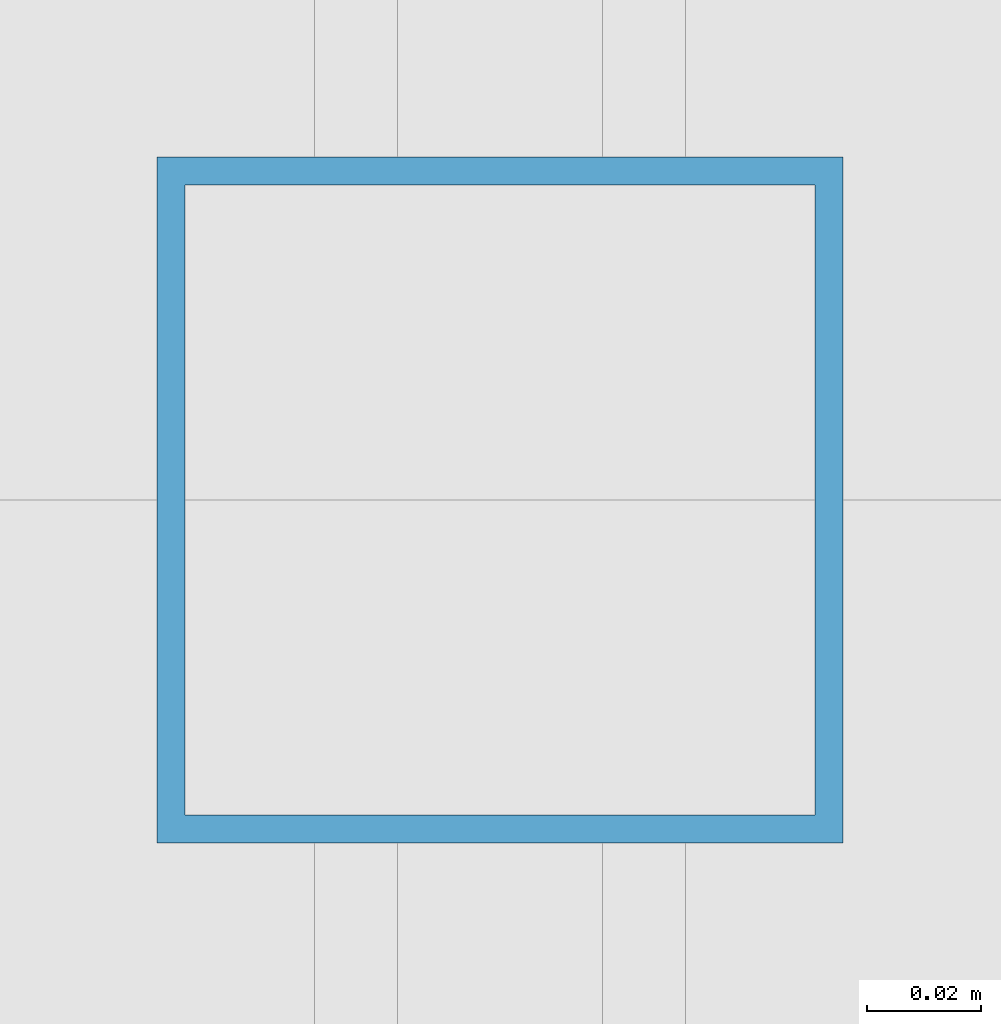
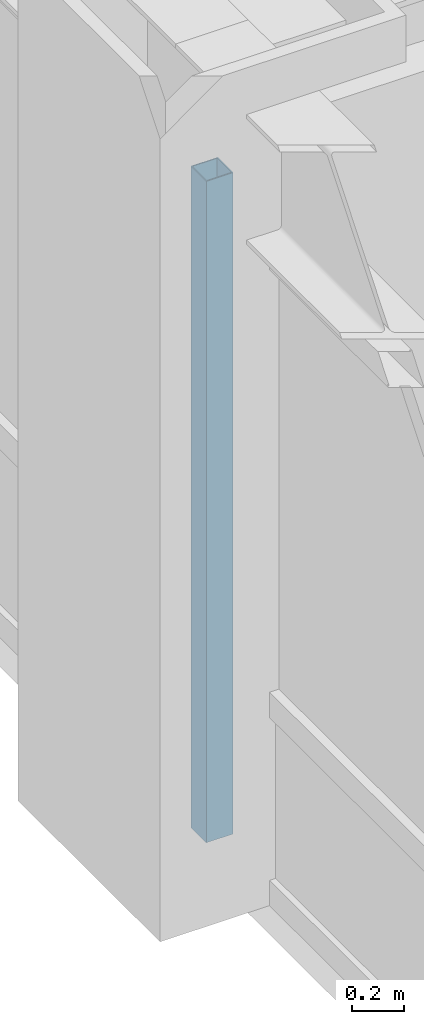
# One storey, part 6 of 25: 1 member, 1 element without a shape of its own.
"""IFC4 building model written with IfcOpenShell, lengths in metres."""

from ifc_helpers import new_model, si_unit, direction, frame, origin, origin_2d, place, context, subcontext, project, spatial, hollow_rectangle, extrude, source, transform, mapped, material, material_profile, profile_set, type_object, element, aggregate, save


model = new_model("IFC4")

# Units and contexts
model_context = context("Model", 3, precision=1e-05, world=origin(), true_north=direction((0.0, 1.0)))
body_context = subcontext(model_context, "Body", "Model", "MODEL_VIEW")
ifc_project = project(units=[si_unit("LENGTHUNIT", "METRE"), si_unit("AREAUNIT", "SQUARE_METRE"), si_unit("VOLUMEUNIT", "CUBIC_METRE"), si_unit("PLANEANGLEUNIT", "RADIAN"), si_unit("MASSUNIT", "GRAM", prefix="KILO")], contexts=[model_context])

# Site, building, storey
site_placement = place(None, origin())
site = spatial("IfcSite", under=ifc_project, at=site_placement, CompositionType="ELEMENT")
building_placement = place(site_placement, origin())
building = spatial("IfcBuilding", under=site, at=building_placement, Name="Khorayat Bourse Tower", CompositionType="ELEMENT")
storey_placement = place(building_placement, frame((0.0, 0.0, 195.10009765625)))
storey = spatial("IfcBuildingStorey", under=building, at=storey_placement, Name="L45", CompositionType="ELEMENT", Elevation=195.10009765625)

# Curtain wall, member
ifc_material = material(Name="Aluminium EN AW-6063 T6", Category="aluminium")
curtain_wall_type = type_object("IfcCurtainWallType", Name="CW-SYS-03", PredefinedType="NOTDEFINED", material=ifc_material)
curtain_wall_placement = place(storey_placement, origin())
curtain_wall = element("IfcCurtainWall", 1, at=curtain_wall_placement, inside=storey, type_object=curtain_wall_type, Name="L45 Curtain Wall CW-L45-W1", PredefinedType="NOTDEFINED")
ifc_material_profile = material_profile(ifc_material, hollow_rectangle(XDim=0.1201171875, YDim=0.1201171875, WallThickness=0.0048828125, at=origin_2d()), Name="ALU 120x120x5")
ifc_profile_set = profile_set([ifc_material_profile], Name="Aluminium EN AW-6063 T6")
member_type = type_object("IfcMemberType", Name="CWM-VERT-120", PredefinedType="MULLION", material=ifc_profile_set)
shared_shape = source(origin(), body_context, "Body", "SweptSolid", [
    extrude(hollow_rectangle(XDim=0.1201171875, YDim=0.1201171875, WallThickness=0.0048828125, at=origin_2d()), origin(), (0.0, 0.0, 1.0), 3.1298828125),
])
member_placement = place(storey_placement, frame((-30.0, 0.0, 0.0), z_axis=(0.0, 0.0, 1.0), x_axis=(-1.0, 0.0, 0.0)))
member = element("IfcMember", 2, at=member_placement, type_object=member_type, Name="CW-L45-W1 Vertical Mullion 2", PredefinedType="MULLION", context=body_context, shape_type="MappedRepresentation", body=[
    mapped(shared_shape, transform((0.0, 0.0, 0.0), scale=1.0)),
])
aggregate(curtain_wall, [member])

save(model, "model.ifc")
